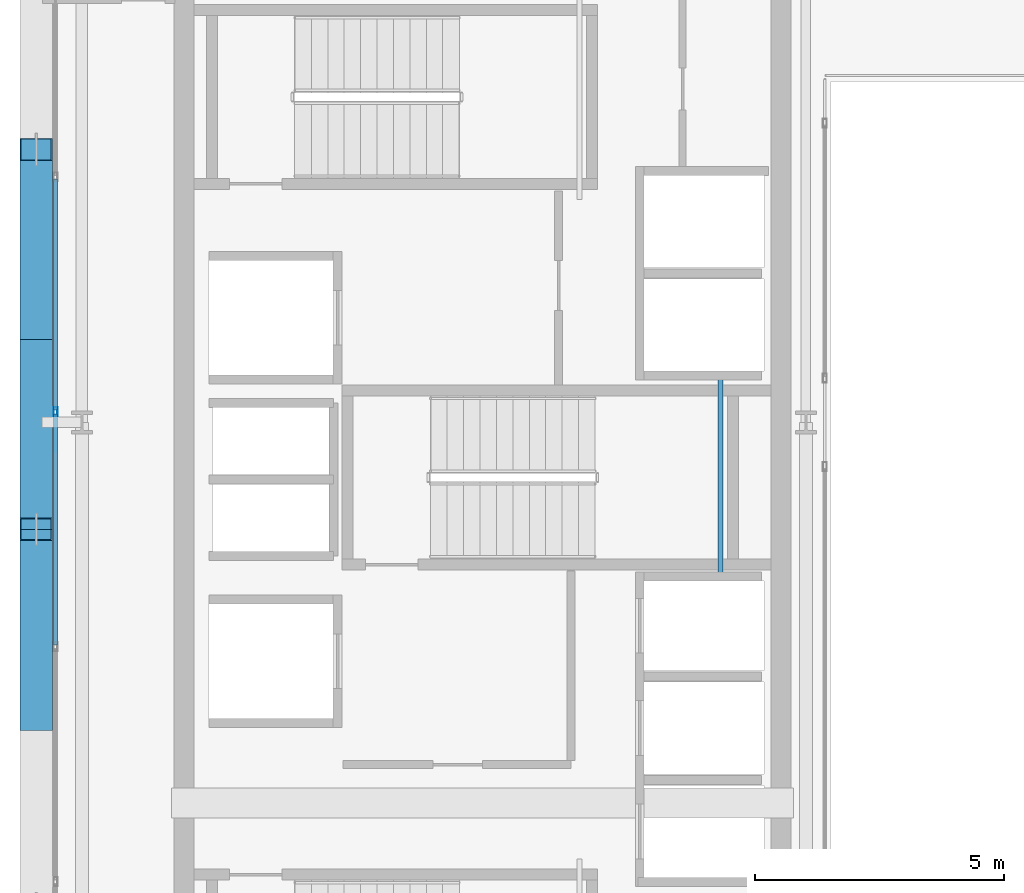
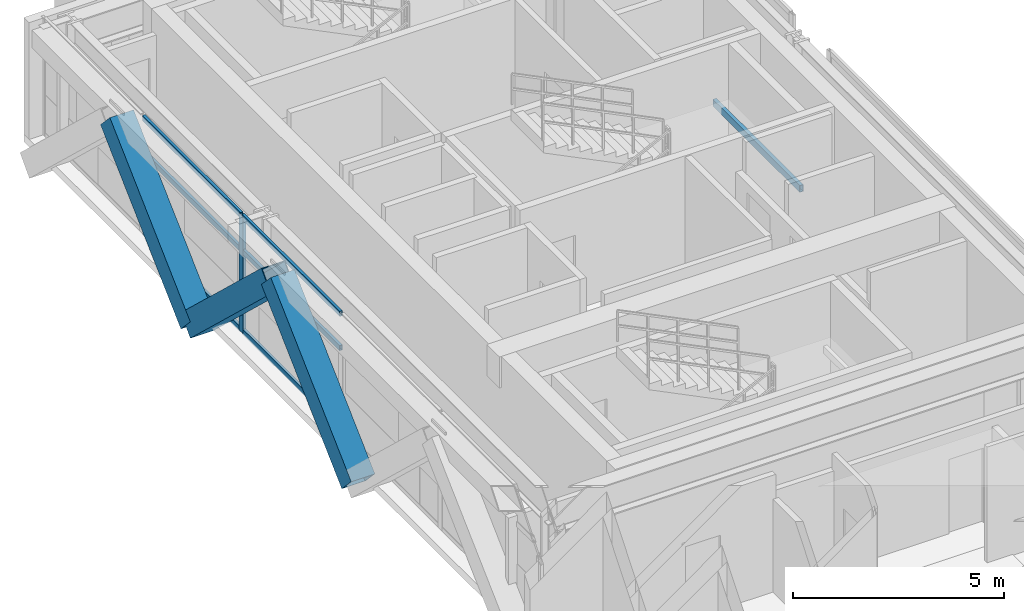
# One storey, part 6 of 29: 10 members, 1 beam, 1 element without a shape of its own.
"""IFC4 building model written with IfcOpenShell, lengths in metres."""

from ifc_helpers import new_model, si_unit, direction, frame, origin, origin_2d, place, context, subcontext, project, spatial, hollow_rectangle, extrude, source, transform, mapped, material, layer, layer_set, material_profile, profile_set, type_object, element, aggregate, save


model = new_model("IFC4")

# Units and contexts
model_context = context("Model", 3, precision=1e-05, world=origin(), true_north=direction((0.0, 1.0)))
body_context = subcontext(model_context, "Body", "Model", "MODEL_VIEW")
ifc_project = project(units=[si_unit("LENGTHUNIT", "METRE"), si_unit("AREAUNIT", "SQUARE_METRE"), si_unit("VOLUMEUNIT", "CUBIC_METRE"), si_unit("PLANEANGLEUNIT", "RADIAN"), si_unit("MASSUNIT", "GRAM", prefix="KILO")], contexts=[model_context])

# Site, building, storey
site_placement = place(None, origin())
site = spatial("IfcSite", under=ifc_project, at=site_placement, CompositionType="ELEMENT")
building_placement = place(site_placement, origin())
building = spatial("IfcBuilding", under=site, at=building_placement, Name="Ocotamira Hotel", CompositionType="ELEMENT")
storey_placement = place(building_placement, frame((0.0, 0.0, 236.39990234375)))
storey = spatial("IfcBuildingStorey", under=building, at=storey_placement, Name="L59", CompositionType="ELEMENT", Elevation=236.39990234375)

# Beam
ifc_material_1 = material(Name="Steel ASTM A500 Grade C", Category="steel")
ifc_material_profile_1 = material_profile(ifc_material_1, hollow_rectangle(XDim=0.10009765625, YDim=0.199951171875, WallThickness=0.008056640625, at=origin_2d()), Name="HSS200X100X8")
ifc_profile_set_1 = profile_set([ifc_material_profile_1], Name="Steel ASTM A500 Grade C")
beam_type = type_object("IfcBeamType", Name="BM-STLDG-HSS200", PredefinedType="BEAM", material=ifc_profile_set_1)
shared_shape_1 = source(origin(), body_context, "Body", "SweptSolid", [
    extrude(hollow_rectangle(XDim=0.10009765625, YDim=0.199951171875, WallThickness=0.008056640625, at=origin_2d()), origin(), (0.0, 0.0, 1.0), 4.1201171875),
])
beam_placement = place(storey_placement, frame((21.780029296875, 24.97998046875, 1.5), z_axis=(0.0, 1.0, 0.0), x_axis=(-1.0, 0.0, 0.0)))
element("IfcBeam", 1, at=beam_placement, inside=storey, type_object=beam_type, Name="L59 Stair ST-3 Landing Bearer 1", PredefinedType="BEAM", context=body_context, shape_type="MappedRepresentation", body=[
    mapped(shared_shape_1, transform((0.0, 0.0, 0.0), scale=1.0)),
])

# Members
ifc_material_2 = material(Name="Pale-metal coated steel ASTM A913 Grade 65", Category="steel")
ifc_material_profile_2 = material_profile(ifc_material_2, hollow_rectangle(XDim=0.64990234375, YDim=0.64990234375, WallThickness=0.02197265625, at=origin_2d()), Name="BOX650X650X22")
ifc_profile_set_2 = profile_set([ifc_material_profile_2], Name="Pale-metal coated steel ASTM A913 Grade 65")
member_type_1 = type_object("IfcMemberType", Name="MEM-EXO-BOX650", PredefinedType="BRACE", material=ifc_profile_set_2)
shared_shape_2 = source(origin(), body_context, "Body", "SweptSolid", [
    extrude(hollow_rectangle(XDim=0.64990234375, YDim=0.64990234375, WallThickness=0.02197265625, at=origin_2d()), origin(), (0.0, 0.0, 1.0), 5.24658203125),
])
for number, where, z_axis, x_axis, name in (
    (2, (8.030029296875, 22.183349609375, -0.469970703125), (0.0, 0.727442733726, 0.686168397078), (-1.0, 0.0, 0.0), "L59 Exoskeleton Diagrid W1.1"),
    (3, (8.030029296875, 29.816650390625, -0.469970703125), (0.0, -0.727442733726, 0.686168397078), (1.0, 0.0, 0.0), "L59 Exoskeleton Diagrid W1.2"),
    (4, (8.030029296875, 29.816650390625, -0.469970703125), (0.0, 0.727442733726, 0.686168397078), (-1.0, 0.0, 0.0), "L59 Exoskeleton Diagrid W2.1"),
):
    element("IfcMember", number, at=place(storey_placement, frame(where, z_axis=z_axis, x_axis=x_axis)), inside=storey, type_object=member_type_1, Name=name, PredefinedType="BRACE", context=body_context, shape_type="MappedRepresentation", body=[
        mapped(shared_shape_2, transform((0.0, 0.0, 0.0), scale=1.0)),
    ])

# Curtain wall, members
ifc_material_3 = material(Name="Anodised pale-metal aluminium and solar glass", Category="aluminium")
ifc_layer = layer(ifc_material_3, 0.239990234375)
ifc_layer_set = layer_set([ifc_layer], Name="Anodised pale-metal aluminium and solar glass")
curtain_wall_type = type_object("IfcCurtainWallType", Name="CW-SYS5-SKY", PredefinedType="NOTDEFINED", material=ifc_layer_set)
curtain_wall_placement = place(storey_placement, origin())
curtain_wall = element("IfcCurtainWall", 5, at=curtain_wall_placement, inside=storey, type_object=curtain_wall_type, Name="L59 Curtain Wall CW-5 CW-L59-W", PredefinedType="NOTDEFINED")
ifc_material_4 = material(Name="Anodised pale-metal aluminium 6063-T6", Category="aluminium")
ifc_material_profile_3 = material_profile(ifc_material_4, hollow_rectangle(XDim=0.074951171875, YDim=0.14990234375, WallThickness=0.006103515625, at=origin_2d()), Name="HSS150X75X6")
ifc_profile_set_3 = profile_set([ifc_material_profile_3], Name="Anodised pale-metal aluminium 6063-T6")
member_type_2 = type_object("IfcMemberType", Name="CWT-150X75", PredefinedType="USERDEFINED", material=ifc_profile_set_3)
shared_shape_3 = source(origin(), body_context, "Body", "SweptSolid", [
    extrude(hollow_rectangle(XDim=0.074951171875, YDim=0.14990234375, WallThickness=0.006103515625, at=origin_2d()), origin(), (0.0, 0.0, 1.0), 4.64013671875),
])
member_1_placement = place(storey_placement, frame((8.419921875, 23.679931640625, 0.03759765625), z_axis=(0.0, 1.0, 0.0), x_axis=(-1.0, 0.0, 0.0)))
member_1 = element("IfcMember", 6, at=member_1_placement, type_object=member_type_2, Name="CW-5 transom 3.1", ObjectType="TRANSOM", PredefinedType="USERDEFINED", context=body_context, shape_type="MappedRepresentation", body=[
    mapped(shared_shape_3, transform((0.0, 0.0, 0.0), scale=1.0)),
])
member_2_placement = place(storey_placement, frame((8.419921875, 23.679931640625, 2.35009765625), z_axis=(0.0, 1.0, 0.0), x_axis=(-1.0, 0.0, 0.0)))
member_2 = element("IfcMember", 7, at=member_2_placement, type_object=member_type_2, Name="CW-5 transom 3.2", ObjectType="TRANSOM", PredefinedType="USERDEFINED", context=body_context, shape_type="MappedRepresentation", body=[
    mapped(shared_shape_3, transform((0.0, 0.0, 0.0), scale=1.0)),
])
member_3_placement = place(storey_placement, frame((8.419921875, 23.679931640625, 3.342529296875), z_axis=(0.0, 1.0, 0.0), x_axis=(-1.0, 0.0, 0.0)))
member_3 = element("IfcMember", 8, at=member_3_placement, type_object=member_type_2, Name="CW-5 transom 3.3", ObjectType="TRANSOM", PredefinedType="USERDEFINED", context=body_context, shape_type="MappedRepresentation", body=[
    mapped(shared_shape_3, transform((0.0, 0.0, 0.0), scale=1.0)),
])
member_4_placement = place(storey_placement, frame((8.419921875, 28.39990234375, 0.03759765625), z_axis=(0.0, 1.0, 0.0), x_axis=(-1.0, 0.0, 0.0)))
member_4 = element("IfcMember", 9, at=member_4_placement, type_object=member_type_2, Name="CW-5 transom 4.1", ObjectType="TRANSOM", PredefinedType="USERDEFINED", context=body_context, shape_type="MappedRepresentation", body=[
    mapped(shared_shape_3, transform((0.0, 0.0, 0.0), scale=1.0)),
])
member_5_placement = place(storey_placement, frame((8.419921875, 28.39990234375, 2.35009765625), z_axis=(0.0, 1.0, 0.0), x_axis=(-1.0, 0.0, 0.0)))
member_5 = element("IfcMember", 10, at=member_5_placement, type_object=member_type_2, Name="CW-5 transom 4.2", ObjectType="TRANSOM", PredefinedType="USERDEFINED", context=body_context, shape_type="MappedRepresentation", body=[
    mapped(shared_shape_3, transform((0.0, 0.0, 0.0), scale=1.0)),
])
member_6_placement = place(storey_placement, frame((8.419921875, 28.39990234375, 3.342529296875), z_axis=(0.0, 1.0, 0.0), x_axis=(-1.0, 0.0, 0.0)))
member_6 = element("IfcMember", 11, at=member_6_placement, type_object=member_type_2, Name="CW-5 transom 4.3", ObjectType="TRANSOM", PredefinedType="USERDEFINED", context=body_context, shape_type="MappedRepresentation", body=[
    mapped(shared_shape_3, transform((0.0, 0.0, 0.0), scale=1.0)),
])
ifc_material_profile_4 = material_profile(ifc_material_4, hollow_rectangle(XDim=0.080078125, YDim=0.179931640625, WallThickness=0.006103515625, at=origin_2d()), Name="HSS180X80X6")
ifc_profile_set_4 = profile_set([ifc_material_profile_4], Name="Anodised pale-metal aluminium 6063-T6")
member_type_3 = type_object("IfcMemberType", Name="CWM-180X75", PredefinedType="MULLION", material=ifc_profile_set_4)
shared_shape_4 = source(origin(), body_context, "Body", "SweptSolid", [
    extrude(hollow_rectangle(XDim=0.080078125, YDim=0.179931640625, WallThickness=0.006103515625, at=origin_2d()), origin(), (0.0, 0.0, 1.0), 3.380126953125),
])
member_7_placement = place(storey_placement, frame((8.419921875, 28.360107421875, 0.0), z_axis=(0.0, 0.0, 1.0), x_axis=(-1.0, 0.0, 0.0)))
member_7 = element("IfcMember", 12, at=member_7_placement, type_object=member_type_3, Name="CW-5 mullion 4", PredefinedType="MULLION", context=body_context, shape_type="MappedRepresentation", body=[
    mapped(shared_shape_4, transform((0.0, 0.0, 0.0), scale=1.0)),
])
aggregate(curtain_wall, [member_7, member_1, member_2, member_3, member_4, member_5, member_6])

save(model, "model.ifc")
